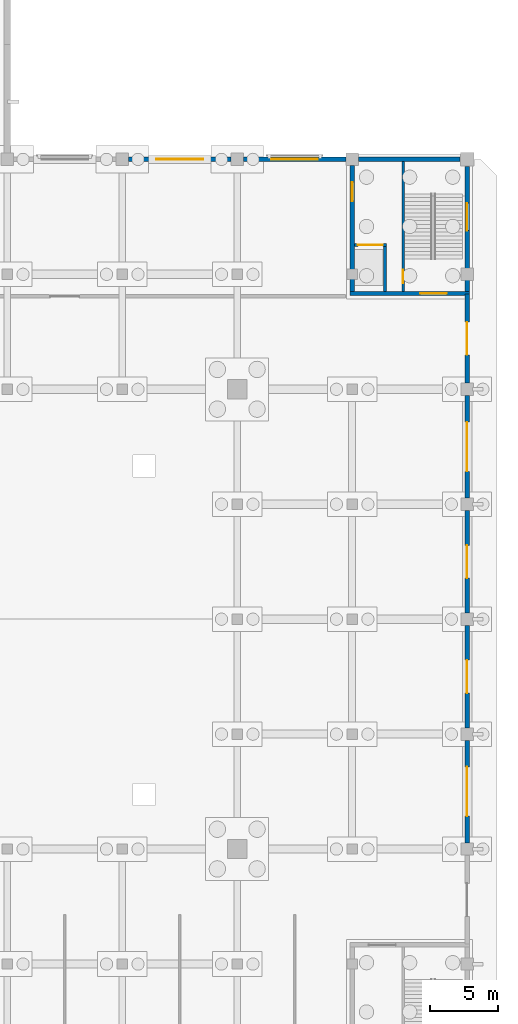
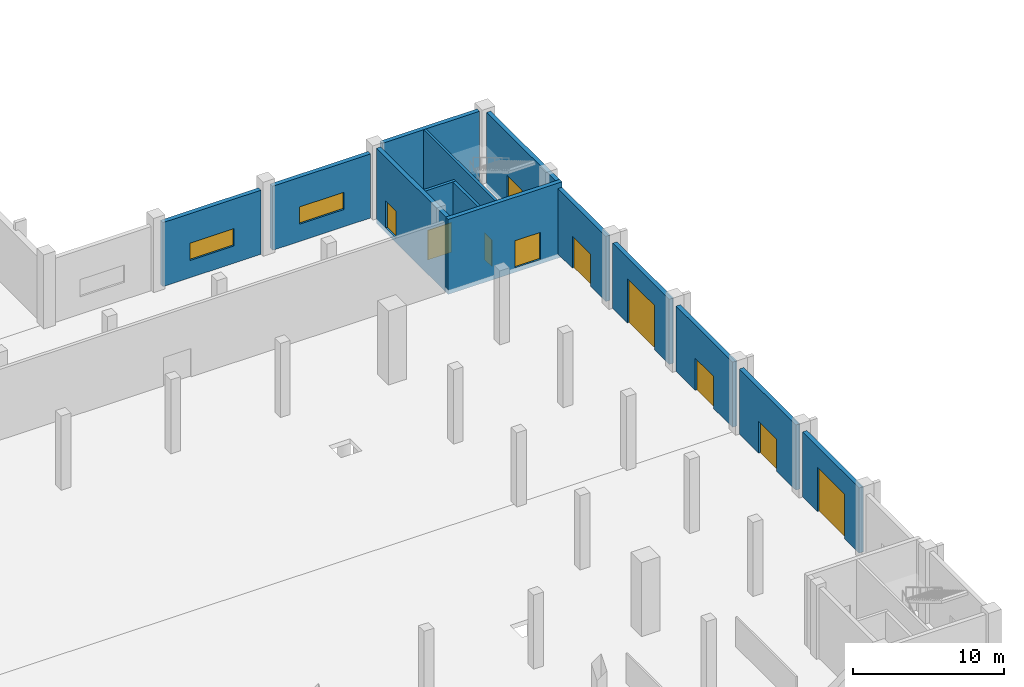
# One storey, part 60 of 72: 14 walls, 10 doors, 2 windows, 12 openings.
"""IFC4 building model written with IfcOpenShell, lengths in metres."""

from ifc_helpers import new_model, si_unit, direction, frame, frame_2d, origin, place, context, subcontext, project, spatial, rectangle, extrude, material, layer, layer_set, type_object, element, fill, save


model = new_model("IFC4")

# Units and contexts
model_context = context("Model", 3, precision=1e-05, world=origin(), true_north=direction((0.0, 1.0)))
body_context = subcontext(model_context, "Body", "Model", "MODEL_VIEW")
ifc_project = project(units=[si_unit("LENGTHUNIT", "METRE"), si_unit("AREAUNIT", "SQUARE_METRE"), si_unit("VOLUMEUNIT", "CUBIC_METRE"), si_unit("PLANEANGLEUNIT", "RADIAN"), si_unit("MASSUNIT", "GRAM", prefix="KILO")], contexts=[model_context])

# Site, building, storey
site_placement = place(None, origin())
site = spatial("IfcSite", under=ifc_project, at=site_placement, CompositionType="ELEMENT")
building_placement = place(site_placement, origin())
building = spatial("IfcBuilding", under=site, at=building_placement, Name="Qawsi Khor Wholesale Market", CompositionType="ELEMENT")
storey_placement = place(building_placement, origin())
storey = spatial("IfcBuildingStorey", under=building, at=storey_placement, Name="L00", CompositionType="ELEMENT", Elevation=0.0)

# Wall, opening, door
ifc_material_1 = material(Name="Concrete C40/50", Category="concrete")
ifc_layer_1 = layer(ifc_material_1, 0.330078125, Name="Concrete C40/50")
ifc_layer_set_1 = layer_set([ifc_layer_1], Name="Concrete C40/50")
wall_type_1 = type_object("IfcWallType", Name="Fish Hall Precast Insulated Wall 330", PredefinedType="SOLIDWALL", material=ifc_layer_set_1)
wall_1_placement = place(storey_placement, frame((218.39990234375, 66.7451171875, 0.0), z_axis=(0.0, 0.0, 1.0), x_axis=(0.0, -1.0, 0.0)))
wall_1 = element("IfcWall", 1, at=wall_1_placement, inside=storey, type_object=wall_type_1, Name="EW-L00-EHE-07", PredefinedType="SOLIDWALL", context=body_context, shape_type="SweptSolid", body=[
    extrude(rectangle(XDim=7.490234375, YDim=0.330078125, at=frame_2d((3.7451171875, 0.0))), origin(), (0.0, 0.0, 1.0), 5.280029296875),
])
opening_1_placement = place(wall_1_placement, frame((1.945068359375, 0.0, 0.0)))
opening_1 = element("IfcOpeningElement", 2, at=opening_1_placement, cuts=wall_1, Name="Opening GT-03", PredefinedType="OPENING", context=body_context, shape_type="SweptSolid", body=[
    extrude(rectangle(XDim=3.60009765625, YDim=3.60009765625, at=frame_2d((1.800048828125, 1.800048828125))), frame((0.0, 0.175048828125, 0.0), z_axis=(0.0, -1.0, 0.0), x_axis=(1.0, 0.0, 0.0)), (0.0, 0.0, 1.0), 0.35009765625),
])
ifc_material_2 = material(Name="Powder-Coated Galvanised Steel & Glazing", Category="steel")
door_type_1 = type_object("IfcDoorType", Name="Fish Hall Refrigerated Van Gate 3600x3600", OperationType="NOTDEFINED", PredefinedType="GATE", material=ifc_material_2)
door_1_placement = place(opening_1_placement, origin())
door_1 = element("IfcDoor", 3, at=door_1_placement, inside=storey, type_object=door_type_1, Name="Fish service gate E-7", OperationType="ROLLINGUP", OverallHeight=3.60009765625, OverallWidth=3.60009765625, PredefinedType="GATE", context=body_context, shape_type="SweptSolid", body=[
    extrude(rectangle(XDim=3.60009765625, YDim=3.60009765625, at=frame_2d((1.800048828125, 1.800048828125))), frame((0.0, 0.02490234375, 0.0), z_axis=(0.0, -1.0, 0.0), x_axis=(1.0, 0.0, 0.0)), (0.0, 0.0, 1.0), 0.050048828125),
])
fill(opening_1, door_1)

wall_2_placement = place(storey_placement, frame((218.39990234375, 75.14501953125, 0.0), z_axis=(0.0, 0.0, 1.0), x_axis=(0.0, -1.0, 0.0)))
wall_2 = element("IfcWall", 4, at=wall_2_placement, inside=storey, type_object=wall_type_1, Name="EW-L00-EHE-08", PredefinedType="SOLIDWALL", context=body_context, shape_type="SweptSolid", body=[
    extrude(rectangle(XDim=7.489990234375, YDim=0.330078125, at=frame_2d((3.7451171875, 0.0))), origin(), (0.0, 0.0, 1.0), 5.280029296875),
])
opening_2_placement = place(wall_2_placement, frame((2.544921875, 0.0, 0.0)))
opening_2 = element("IfcOpeningElement", 5, at=opening_2_placement, cuts=wall_2, Name="Opening ED-01", PredefinedType="OPENING", context=body_context, shape_type="SweptSolid", body=[
    extrude(rectangle(XDim=2.39990234375, YDim=2.60009765625, at=frame_2d((1.199951171875, 1.300048828125))), frame((0.0, 0.175048828125, 0.0), z_axis=(0.0, -1.0, 0.0), x_axis=(1.0, 0.0, 0.0)), (0.0, 0.0, 1.0), 0.35009765625),
])
door_type_2 = type_object("IfcDoorType", Name="Main Boulevard Entrance Double Door 2400x2600", OperationType="NOTDEFINED", PredefinedType="DOOR", material=ifc_material_2)
door_2_placement = place(opening_2_placement, origin())
door_2 = element("IfcDoor", 6, at=door_2_placement, inside=storey, type_object=door_type_2, Name="Fish Hall East Exit 8", OperationType="DOUBLE_DOOR_SINGLE_SWING", OverallHeight=2.60009765625, OverallWidth=2.39990234375, PredefinedType="DOOR", context=body_context, shape_type="SweptSolid", body=[
    extrude(rectangle(XDim=2.39990234375, YDim=2.60009765625, at=frame_2d((1.199951171875, 1.300048828125))), frame((0.0, 0.02490234375, 0.0), z_axis=(0.0, -1.0, 0.0), x_axis=(1.0, 0.0, 0.0)), (0.0, 0.0, 1.0), 0.050048828125),
])
fill(opening_2, door_2)

wall_3_placement = place(storey_placement, frame((218.39990234375, 83.544921875, 0.0), z_axis=(0.0, 0.0, 1.0), x_axis=(0.0, -1.0, 0.0)))
wall_3 = element("IfcWall", 7, at=wall_3_placement, inside=storey, type_object=wall_type_1, Name="EW-L00-EHE-09", PredefinedType="SOLIDWALL", context=body_context, shape_type="SweptSolid", body=[
    extrude(rectangle(XDim=7.489990234375, YDim=0.330078125, at=frame_2d((3.7451171875, 0.0))), origin(), (0.0, 0.0, 1.0), 5.280029296875),
])
opening_3_placement = place(wall_3_placement, frame((2.544921875, 0.0, 0.0)))
opening_3 = element("IfcOpeningElement", 8, at=opening_3_placement, cuts=wall_3, Name="Opening ED-01", PredefinedType="OPENING", context=body_context, shape_type="SweptSolid", body=[
    extrude(rectangle(XDim=2.39990234375, YDim=2.60009765625, at=frame_2d((1.199951171875, 1.300048828125))), frame((0.0, 0.175048828125, 0.0), z_axis=(0.0, -1.0, 0.0), x_axis=(1.0, 0.0, 0.0)), (0.0, 0.0, 1.0), 0.35009765625),
])
door_3_placement = place(opening_3_placement, origin())
door_3 = element("IfcDoor", 9, at=door_3_placement, inside=storey, type_object=door_type_2, Name="Fish Hall East Exit 9", OperationType="DOUBLE_DOOR_SINGLE_SWING", OverallHeight=2.60009765625, OverallWidth=2.39990234375, PredefinedType="DOOR", context=body_context, shape_type="SweptSolid", body=[
    extrude(rectangle(XDim=2.39990234375, YDim=2.60009765625, at=frame_2d((1.199951171875, 1.300048828125))), frame((0.0, 0.02490234375, 0.0), z_axis=(0.0, -1.0, 0.0), x_axis=(1.0, 0.0, 0.0)), (0.0, 0.0, 1.0), 0.050048828125),
])
fill(opening_3, door_3)

wall_4_placement = place(storey_placement, frame((218.39990234375, 91.945068359375, 0.0), z_axis=(0.0, 0.0, 1.0), x_axis=(0.0, -1.0, 0.0)))
wall_4 = element("IfcWall", 10, at=wall_4_placement, inside=storey, type_object=wall_type_1, Name="EW-L00-EHE-10", PredefinedType="SOLIDWALL", context=body_context, shape_type="SweptSolid", body=[
    extrude(rectangle(XDim=7.489990234375, YDim=0.330078125, at=frame_2d((3.7451171875, 0.0))), origin(), (0.0, 0.0, 1.0), 5.280029296875),
])
opening_4_placement = place(wall_4_placement, frame((1.945068359375, 0.0, 0.0)))
opening_4 = element("IfcOpeningElement", 11, at=opening_4_placement, cuts=wall_4, Name="Opening GT-03", PredefinedType="OPENING", context=body_context, shape_type="SweptSolid", body=[
    extrude(rectangle(XDim=3.60009765625, YDim=3.60009765625, at=frame_2d((1.800048828125, 1.800048828125))), frame((0.0, 0.175048828125, 0.0), z_axis=(0.0, -1.0, 0.0), x_axis=(1.0, 0.0, 0.0)), (0.0, 0.0, 1.0), 0.35009765625),
])
door_4_placement = place(opening_4_placement, origin())
door_4 = element("IfcDoor", 12, at=door_4_placement, inside=storey, type_object=door_type_1, Name="Fish service gate E-10", OperationType="ROLLINGUP", OverallHeight=3.60009765625, OverallWidth=3.60009765625, PredefinedType="GATE", context=body_context, shape_type="SweptSolid", body=[
    extrude(rectangle(XDim=3.60009765625, YDim=3.60009765625, at=frame_2d((1.800048828125, 1.800048828125))), frame((0.0, 0.02490234375, 0.0), z_axis=(0.0, -1.0, 0.0), x_axis=(1.0, 0.0, 0.0)), (0.0, 0.0, 1.0), 0.050048828125),
])
fill(opening_4, door_4)

wall_5_placement = place(storey_placement, frame((218.39990234375, 99.35009765625, 0.0), z_axis=(0.0, 0.0, 1.0), x_axis=(0.0, -1.0, 0.0)))
wall_5 = element("IfcWall", 13, at=wall_5_placement, inside=storey, type_object=wall_type_1, Name="EW-L00-EHE-11", PredefinedType="SOLIDWALL", context=body_context, shape_type="SweptSolid", body=[
    extrude(rectangle(XDim=6.4951171875, YDim=0.330078125, at=frame_2d((3.24755859375, 0.0))), origin(), (0.0, 0.0, 1.0), 5.280029296875),
])
opening_5_placement = place(wall_5_placement, frame((2.034912109375, 0.0, 0.0)))
opening_5 = element("IfcOpeningElement", 14, at=opening_5_placement, cuts=wall_5, Name="Opening ED-01", PredefinedType="OPENING", context=body_context, shape_type="SweptSolid", body=[
    extrude(rectangle(XDim=2.39990234375, YDim=2.60009765625, at=frame_2d((1.199951171875, 1.300048828125))), frame((0.0, 0.175048828125, 0.0), z_axis=(0.0, -1.0, 0.0), x_axis=(1.0, 0.0, 0.0)), (0.0, 0.0, 1.0), 0.35009765625),
])
door_5_placement = place(opening_5_placement, origin())
door_5 = element("IfcDoor", 15, at=door_5_placement, inside=storey, type_object=door_type_2, Name="Fish Hall East Exit 11", OperationType="DOUBLE_DOOR_SINGLE_SWING", OverallHeight=2.60009765625, OverallWidth=2.39990234375, PredefinedType="DOOR", context=body_context, shape_type="SweptSolid", body=[
    extrude(rectangle(XDim=2.39990234375, YDim=2.60009765625, at=frame_2d((1.199951171875, 1.300048828125))), frame((0.0, 0.02490234375, 0.0), z_axis=(0.0, -1.0, 0.0), x_axis=(1.0, 0.0, 0.0)), (0.0, 0.0, 1.0), 0.050048828125),
])
fill(opening_5, door_5)

# Wall, opening, window
wall_6_placement = place(storey_placement, frame((193.655029296875, 109.199951171875, 0.0), z_axis=(0.0, 0.0, 1.0), x_axis=(1.0, 0.0, 0.0)))
wall_6 = element("IfcWall", 16, at=wall_6_placement, inside=storey, type_object=wall_type_1, Name="EW-L00-EHN-23", PredefinedType="SOLIDWALL", context=body_context, shape_type="SweptSolid", body=[
    extrude(rectangle(XDim=7.489990234375, YDim=0.330078125, at=frame_2d((3.7451171875, 0.0))), origin(), (0.0, 0.0, 1.0), 5.18994140625),
])
opening_6_placement = place(wall_6_placement, frame((2.044921875, 0.0, 1.39990234375)))
opening_6 = element("IfcOpeningElement", 17, at=opening_6_placement, cuts=wall_6, Name="Opening W-14", PredefinedType="OPENING", context=body_context, shape_type="SweptSolid", body=[
    extrude(rectangle(XDim=3.39990234375, YDim=1.39990234375, at=frame_2d((1.699951171875, 0.699951171875))), frame((0.0, 0.175048828125, 0.0), z_axis=(0.0, -1.0, 0.0), x_axis=(1.0, 0.0, 0.0)), (0.0, 0.0, 1.0), 0.35009765625),
])
ifc_material_3 = material(Name="Thermally Broken Aluminium & Low-E Glass", Category="aluminium")
window_type = type_object("IfcWindowType", Name="Win W-14 Flower Hall North Light 3400x1400", PartitioningType="SINGLE_PANEL", PredefinedType="WINDOW", material=ifc_material_3)
window_1_placement = place(opening_6_placement, origin())
window_1 = element("IfcWindow", 18, at=window_1_placement, inside=storey, type_object=window_type, Name="Win W-14 Flower Hall North Light 3400x1400 182", OverallHeight=1.39990234375, OverallWidth=3.39990234375, PartitioningType="SINGLE_PANEL", PredefinedType="WINDOW", context=body_context, shape_type="SweptSolid", body=[
    extrude(rectangle(XDim=3.39990234375, YDim=1.39990234375, at=frame_2d((1.699951171875, 0.699951171875))), frame((0.0, 0.030029296875, 0.0), z_axis=(0.0, -1.0, 0.0), x_axis=(1.0, 0.0, 0.0)), (0.0, 0.0, 1.0), 0.06005859375),
])
fill(opening_6, window_1)

wall_7_placement = place(storey_placement, frame((202.054931640625, 109.199951171875, 0.0), z_axis=(0.0, 0.0, 1.0), x_axis=(1.0, 0.0, 0.0)))
wall_7 = element("IfcWall", 19, at=wall_7_placement, inside=storey, type_object=wall_type_1, Name="EW-L00-EHN-24", PredefinedType="SOLIDWALL", context=body_context, shape_type="SweptSolid", body=[
    extrude(rectangle(XDim=7.489990234375, YDim=0.330078125, at=frame_2d((3.7451171875, 0.0))), origin(), (0.0, 0.0, 1.0), 5.18994140625),
])
opening_7_placement = place(wall_7_placement, frame((2.044921875, 0.0, 1.39990234375)))
opening_7 = element("IfcOpeningElement", 20, at=opening_7_placement, cuts=wall_7, Name="Opening W-14", PredefinedType="OPENING", context=body_context, shape_type="SweptSolid", body=[
    extrude(rectangle(XDim=3.39990234375, YDim=1.39990234375, at=frame_2d((1.699951171875, 0.699951171875))), frame((0.0, 0.175048828125, 0.0), z_axis=(0.0, -1.0, 0.0), x_axis=(1.0, 0.0, 0.0)), (0.0, 0.0, 1.0), 0.35009765625),
])
window_2_placement = place(opening_7_placement, origin())
window_2 = element("IfcWindow", 21, at=window_2_placement, inside=storey, type_object=window_type, Name="Win W-14 Flower Hall North Light 3400x1400 183", OverallHeight=1.39990234375, OverallWidth=3.39990234375, PartitioningType="SINGLE_PANEL", PredefinedType="WINDOW", context=body_context, shape_type="SweptSolid", body=[
    extrude(rectangle(XDim=3.39990234375, YDim=1.39990234375, at=frame_2d((1.699951171875, 0.699951171875))), frame((0.0, 0.030029296875, 0.0), z_axis=(0.0, -1.0, 0.0), x_axis=(1.0, 0.0, 0.0)), (0.0, 0.0, 1.0), 0.06005859375),
])
fill(opening_7, window_2)

# Wall, opening, door
ifc_layer_2 = layer(ifc_material_1, 0.320068359375, Name="Concrete C40/50")
ifc_layer_set_2 = layer_set([ifc_layer_2], Name="Concrete C40/50")
wall_type_2 = type_object("IfcWallType", Name="Hall Lateral Shear Wall RC 320 C40/50", PredefinedType="SHEAR", material=ifc_layer_set_2)
wall_8_placement = place(storey_placement, frame((218.56005859375, 99.39990234375, -0.360107421875), z_axis=(0.0, 0.0, 1.0), x_axis=(-1.0, 0.0, 0.0)))
wall_8 = element("IfcWall", 22, at=wall_8_placement, inside=storey, type_object=wall_type_2, Name="Core C12 south shear wall L00", PredefinedType="SHEAR", context=body_context, shape_type="SweptSolid", body=[
    extrude(rectangle(XDim=8.719970703125, YDim=0.320068359375, at=frame_2d((4.35986328125, 0.0))), origin(), (0.0, 0.0, 1.0), 6.080078125),
])
opening_8_placement = place(wall_8_placement, frame((1.6298828125, 0.0, 0.360107421875)))
opening_8 = element("IfcOpeningElement", 23, at=opening_8_placement, cuts=wall_8, Name="Opening ID-01", PredefinedType="OPENING", context=body_context, shape_type="SweptSolid", body=[
    extrude(rectangle(XDim=1.9599609375, YDim=2.199951171875, at=frame_2d((0.97998046875, 1.10009765625))), frame((0.0, 0.169921875, 0.0), z_axis=(0.0, -1.0, 0.0), x_axis=(1.0, 0.0, 0.0)), (0.0, 0.0, 1.0), 0.340087890625),
])
ifc_material_4 = material(Name="Steel Fire Door", Category="steel")
door_type_3 = type_object("IfcDoorType", Name="Stair & Core Fire Door 1960x2200 FD90S", OperationType="NOTDEFINED", PredefinedType="DOOR", material=ifc_material_4)
door_6_placement = place(opening_8_placement, origin())
door_6 = element("IfcDoor", 24, at=door_6_placement, inside=storey, type_object=door_type_3, Name="Core C12 fire door L00", OperationType="DOUBLE_DOOR_SINGLE_SWING", OverallHeight=2.199951171875, OverallWidth=1.9599609375, PredefinedType="DOOR", context=body_context, shape_type="SweptSolid", body=[
    extrude(rectangle(XDim=1.9599609375, YDim=2.199951171875, at=frame_2d((0.97998046875, 1.10009765625))), frame((0.0, 0.02490234375, 0.0), z_axis=(0.0, -1.0, 0.0), x_axis=(1.0, 0.0, 0.0)), (0.0, 0.0, 1.0), 0.050048828125),
])
fill(opening_8, door_6)

wall_9_placement = place(storey_placement, frame((210.0, 99.56005859375, -0.360107421875), z_axis=(0.0, 0.0, 1.0), x_axis=(0.0, 1.0, 0.0)))
wall_9 = element("IfcWall", 25, at=wall_9_placement, inside=storey, type_object=wall_type_2, Name="Core C12 west shear wall L00", PredefinedType="SHEAR", context=body_context, shape_type="SweptSolid", body=[
    extrude(rectangle(XDim=9.18505859375, YDim=0.320068359375, at=frame_2d((4.592529296875, 0.0))), origin(), (0.0, 0.0, 1.0), 6.080078125),
])
opening_9_placement = place(wall_9_placement, frame((6.5849609375, 0.0, 0.360107421875)))
opening_9 = element("IfcOpeningElement", 26, at=opening_9_placement, cuts=wall_9, Name="Opening ID-02", PredefinedType="OPENING", context=body_context, shape_type="SweptSolid", body=[
    extrude(rectangle(XDim=1.39990234375, YDim=2.199951171875, at=frame_2d((0.699951171875, 1.10009765625))), frame((0.0, 0.169921875, 0.0), z_axis=(0.0, -1.0, 0.0), x_axis=(1.0, 0.0, 0.0)), (0.0, 0.0, 1.0), 0.340087890625),
])
door_type_4 = type_object("IfcDoorType", Name="Firefighting Lobby Door 1400x2200 FD60S", OperationType="NOTDEFINED", PredefinedType="DOOR", material=ifc_material_4)
door_7_placement = place(opening_9_placement, origin())
door_7 = element("IfcDoor", 27, at=door_7_placement, inside=storey, type_object=door_type_4, Name="Core C12 lift lobby door L00", OperationType="SINGLE_SWING_LEFT", OverallHeight=2.199951171875, OverallWidth=1.39990234375, PredefinedType="DOOR", context=body_context, shape_type="SweptSolid", body=[
    extrude(rectangle(XDim=1.39990234375, YDim=2.199951171875, at=frame_2d((0.699951171875, 1.10009765625))), frame((0.0, 0.02490234375, 0.0), z_axis=(0.0, -1.0, 0.0), x_axis=(1.0, 0.0, 0.0)), (0.0, 0.0, 1.0), 0.050048828125),
])
fill(opening_9, door_7)

# Wall
wall_10_placement = place(storey_placement, frame((210.455078125, 109.199951171875, -0.360107421875), z_axis=(0.0, 0.0, 1.0), x_axis=(1.0, 0.0, 0.0)))
element("IfcWall", 28, at=wall_10_placement, inside=storey, type_object=wall_type_2, Name="Core C12 north shear wall L00", PredefinedType="SHEAR", context=body_context, shape_type="SweptSolid", body=[
    extrude(rectangle(XDim=7.43994140625, YDim=0.320068359375, at=frame_2d((3.719970703125, 0.0))), origin(), (0.0, 0.0, 1.0), 6.080078125),
])

# Wall, opening, door
wall_11_placement = place(storey_placement, frame((218.39990234375, 108.695068359375, -0.360107421875), z_axis=(0.0, 0.0, 1.0), x_axis=(0.0, -1.0, 0.0)))
wall_11 = element("IfcWall", 29, at=wall_11_placement, inside=storey, type_object=wall_type_2, Name="Core C12 east shear wall L00", PredefinedType="SHEAR", context=body_context, shape_type="SweptSolid", body=[
    extrude(rectangle(XDim=9.135009765625, YDim=0.320068359375, at=frame_2d((4.5673828125, 0.0))), origin(), (0.0, 0.0, 1.0), 6.080078125),
])
opening_10_placement = place(wall_11_placement, frame((2.695068359375, 0.0, 0.360107421875)))
opening_10 = element("IfcOpeningElement", 30, at=opening_10_placement, cuts=wall_11, Name="Opening ED-06", PredefinedType="OPENING", context=body_context, shape_type="SweptSolid", body=[
    extrude(rectangle(XDim=2.0, YDim=2.280029296875, at=frame_2d((1.0, 1.14013671875))), frame((0.0, 0.169921875, 0.0), z_axis=(0.0, -1.0, 0.0), x_axis=(1.0, 0.0, 0.0)), (0.0, 0.0, 1.0), 0.340087890625),
])
door_type_5 = type_object("IfcDoorType", Name="Final Exit Stair Discharge Door 2000x2280 FD120S", OperationType="NOTDEFINED", PredefinedType="DOOR", material=ifc_material_2)
door_8_placement = place(opening_10_placement, origin())
door_8 = element("IfcDoor", 31, at=door_8_placement, inside=storey, type_object=door_type_5, Name="Final exit stair discharge door ST-12", OperationType="DOUBLE_DOOR_SINGLE_SWING", OverallHeight=2.280029296875, OverallWidth=2.0, PredefinedType="DOOR", context=body_context, shape_type="SweptSolid", body=[
    extrude(rectangle(XDim=2.0, YDim=2.280029296875, at=frame_2d((1.0, 1.14013671875))), frame((0.0, 0.02490234375, 0.0), z_axis=(0.0, -1.0, 0.0), x_axis=(1.0, 0.0, 0.0)), (0.0, 0.0, 1.0), 0.050048828125),
])
fill(opening_10, door_8)

# Wall
ifc_layer_3 = layer(ifc_material_1, 0.219970703125, Name="Concrete C40/50")
ifc_layer_set_3 = layer_set([ifc_layer_3], Name="Concrete C40/50")
wall_type_3 = type_object("IfcWallType", Name="Lift & Stair Shaft Wall RC 220", PredefinedType="SOLIDWALL", material=ifc_layer_set_3)
wall_12_placement = place(storey_placement, frame((212.389892578125, 99.56005859375, 0.0), z_axis=(0.0, 0.0, 1.0), x_axis=(0.0, 1.0, 0.0)))
element("IfcWall", 32, at=wall_12_placement, inside=storey, type_object=wall_type_3, Name="Lift GL-04 shaft wall E L00", PredefinedType="SOLIDWALL", context=body_context, shape_type="SweptSolid", body=[
    extrude(rectangle(XDim=3.389892578125, YDim=0.219970703125, at=frame_2d((1.69482421875, 0.0))), origin(), (0.0, 0.0, 1.0), 5.719970703125),
])

# Wall, opening, door
wall_13_placement = place(storey_placement, frame((210.159912109375, 102.949951171875, 0.0), z_axis=(0.0, 0.0, 1.0), x_axis=(1.0, 0.0, 0.0)))
wall_13 = element("IfcWall", 33, at=wall_13_placement, inside=storey, type_object=wall_type_3, Name="Lift GL-04 shaft wall N L00", PredefinedType="SOLIDWALL", context=body_context, shape_type="SweptSolid", body=[
    extrude(rectangle(XDim=2.340087890625, YDim=0.219970703125, at=frame_2d((1.169921875, 0.0))), origin(), (0.0, 0.0, 1.0), 5.719970703125),
])
opening_11_placement = place(wall_13_placement, frame((0.260009765625, 0.0, 0.0)))
opening_11 = element("IfcOpeningElement", 34, at=opening_11_placement, cuts=wall_13, Name="Opening LD-G180", PredefinedType="OPENING", context=body_context, shape_type="SweptSolid", body=[
    extrude(rectangle(XDim=1.820068359375, YDim=2.39990234375, at=frame_2d((0.91015625, 1.199951171875))), frame((0.0, 0.119873046875, 0.0), z_axis=(0.0, -1.0, 0.0), x_axis=(1.0, 0.0, 0.0)), (0.0, 0.0, 1.0), 0.239990234375),
])
ifc_material_5 = material(Name="Heavy-Duty Stainless Steel", Category="steel")
door_type_6 = type_object("IfcDoorType", Name="Goods Lift Landing Sliding Door 1820x2400 FD90S", OperationType="NOTDEFINED", PredefinedType="DOOR", material=ifc_material_5)
door_9_placement = place(opening_11_placement, origin())
door_9 = element("IfcDoor", 35, at=door_9_placement, inside=storey, type_object=door_type_6, Name="Lift GL-04 landing door L00", OperationType="SLIDING_TO_LEFT", OverallHeight=2.39990234375, OverallWidth=1.820068359375, PredefinedType="DOOR", context=body_context, shape_type="SweptSolid", body=[
    extrude(rectangle(XDim=1.820068359375, YDim=2.39990234375, at=frame_2d((0.91015625, 1.199951171875))), frame((0.0, 0.02490234375, 0.0), z_axis=(0.0, -1.0, 0.0), x_axis=(1.0, 0.0, 0.0)), (0.0, 0.0, 1.0), 0.050048828125),
])
fill(opening_11, door_9)

ifc_layer_4 = layer(ifc_material_1, 0.18994140625, Name="Concrete C40/50")
ifc_layer_set_4 = layer_set([ifc_layer_4], Name="Concrete C40/50")
wall_type_4 = type_object("IfcWallType", Name="Stairwell Enclosure Wall RC 190", PredefinedType="SOLIDWALL", material=ifc_layer_set_4)
wall_14_placement = place(storey_placement, frame((213.719970703125, 99.56005859375, -0.360107421875), z_axis=(0.0, 0.0, 1.0), x_axis=(0.0, 1.0, 0.0)))
wall_14 = element("IfcWall", 36, at=wall_14_placement, inside=storey, type_object=wall_type_4, Name="Core C12 stairwell enclosure wall L00", PredefinedType="SOLIDWALL", context=body_context, shape_type="SweptSolid", body=[
    extrude(rectangle(XDim=9.47998046875, YDim=0.18994140625, at=frame_2d((4.739990234375, 0.0))), origin(), (0.0, 0.0, 1.0), 6.080078125),
])
opening_12_placement = place(wall_14_placement, frame((0.580078125, 0.0, 0.360107421875)))
opening_12 = element("IfcOpeningElement", 37, at=opening_12_placement, cuts=wall_14, Name="Opening ID-17", PredefinedType="OPENING", context=body_context, shape_type="SweptSolid", body=[
    extrude(rectangle(XDim=0.97998046875, YDim=2.14990234375, at=frame_2d((0.489990234375, 1.074951171875))), frame((0.0, 0.10498046875, 0.0), z_axis=(0.0, -1.0, 0.0), x_axis=(1.0, 0.0, 0.0)), (0.0, 0.0, 1.0), 0.2099609375),
])
door_type_7 = type_object("IfcDoorType", Name="Core Stair Lobby Fire Door 980x2150 FD120S", OperationType="NOTDEFINED", PredefinedType="DOOR", material=ifc_material_4)
door_10_placement = place(opening_12_placement, origin())
door_10 = element("IfcDoor", 38, at=door_10_placement, inside=storey, type_object=door_type_7, Name="Core C12 stair enclosure fire door L00", OperationType="SINGLE_SWING_RIGHT", OverallHeight=2.14990234375, OverallWidth=0.97998046875, PredefinedType="DOOR", context=body_context, shape_type="SweptSolid", body=[
    extrude(rectangle(XDim=0.97998046875, YDim=2.14990234375, at=frame_2d((0.489990234375, 1.074951171875))), frame((0.0, 0.02490234375, 0.0), z_axis=(0.0, -1.0, 0.0), x_axis=(1.0, 0.0, 0.0)), (0.0, 0.0, 1.0), 0.050048828125),
])
fill(opening_12, door_10)

save(model, "model.ifc")
